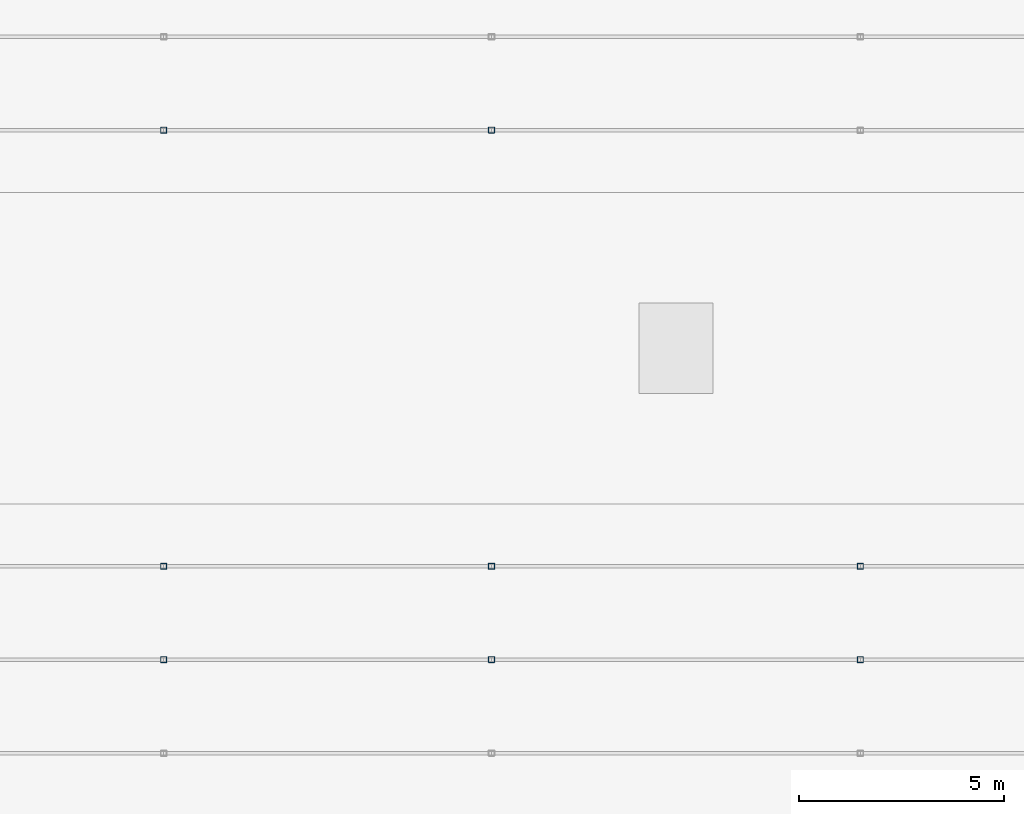
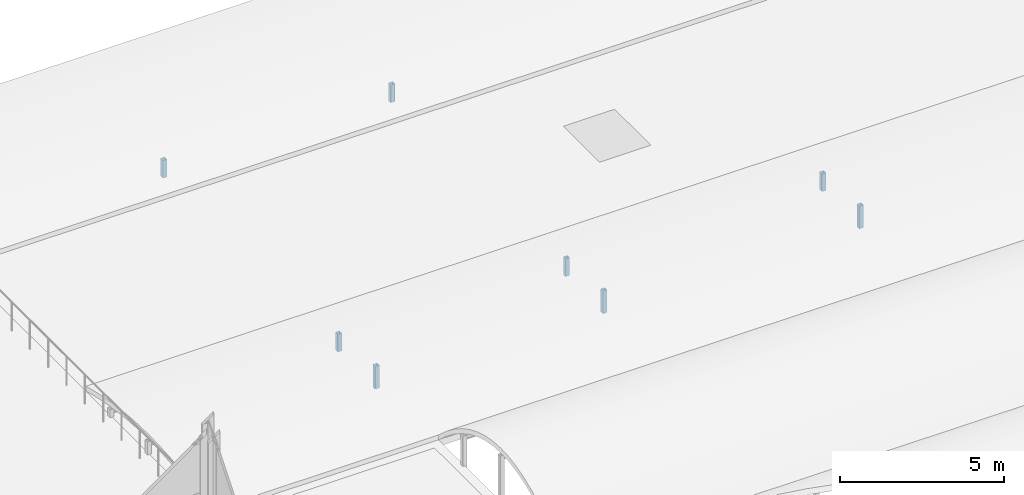
# One storey, part 34 of 46: 8 members.
"""IFC4 building model written with IfcOpenShell, lengths in metres."""

import ifcopenshell
import ifcopenshell.guid

model = None  # the IFC model being written
_history = None  # IfcOwnerHistory: only IFC2X3 demands one
_inside = {}  # id of a spatial element -> (the spatial element, [elements in it])
_under = {}  # id of a project, library or spatial element -> (it, [spatial elements below it])
_declared = {}  # id of a project -> (the project, [libraries it declares])
_typed = {}  # id of a type object -> (the type object, [elements of that type])
_made_of = {}  # id of a material, layer set ... -> (it, [elements and type objects made of it])


def new_model(schema):
    """Start an empty IFC model of exactly this schema.

    Asked for "IFC4X3", IfcOpenShell would pick the latest addendum, in which some entities
    have other attributes; the version numbers below select the first issue.
    IFC2X3 requires an IfcOwnerHistory on every rooted entity: one is made here for all.
    """
    global model, _history
    if schema == "IFC4X3":
        model = ifcopenshell.file(schema_version=(4, 3, 0, 0))
    else:
        model = ifcopenshell.file(schema=schema)
    _inside.clear()
    _under.clear()
    _declared.clear()
    _typed.clear()
    _made_of.clear()
    _history = None
    if model.schema == "IFC2X3":
        org = make("IfcOrganization", Name="unknown")
        user = make(
            "IfcPersonAndOrganization",
            ThePerson=make("IfcPerson", FamilyName="unknown"),
            TheOrganization=org,
        )
        app = make(
            "IfcApplication",
            ApplicationDeveloper=org,
            Version="unknown",
            ApplicationFullName="unknown",
            ApplicationIdentifier="unknown",
        )
        _history = make(
            "IfcOwnerHistory",
            OwningUser=user,
            OwningApplication=app,
            ChangeAction="ADDED",
            CreationDate=0,
        )
    return model


def make(cls, **values):
    """One entity of the class cls with the attributes given. An attribute that is None is left unset."""
    return model.create_entity(
        cls, **{name: value for name, value in values.items() if value is not None}
    )


def rooted(cls, **values):
    """An entity with a GlobalId (a new one), such as an element, a storey or a relation."""
    return make(cls, GlobalId=ifcopenshell.guid.new(), OwnerHistory=_history, **values)


def si_unit(unit_type, name, prefix=None):
    """IfcSIUnit, for example si_unit("LENGTHUNIT", "METRE", prefix="MILLI")."""
    return make("IfcSIUnit", UnitType=unit_type, Prefix=prefix, Name=name)


def assignment(units):
    """IfcUnitAssignment: the units of a project."""
    return None if units is None else make("IfcUnitAssignment", Units=units)


def point(xyz):
    """IfcCartesianPoint."""
    return None if xyz is None else make("IfcCartesianPoint", Coordinates=xyz)


def direction(xyz):
    """IfcDirection."""
    return None if xyz is None else make("IfcDirection", DirectionRatios=xyz)


def frame(location, z_axis=None, x_axis=None):
    """IfcAxis2Placement3D, a coordinate frame: its origin and axes. An axis left out is left unset."""
    return make(
        "IfcAxis2Placement3D",
        Location=point(location),
        Axis=direction(z_axis),
        RefDirection=direction(x_axis),
    )


def frame_2d(location, x_axis=None):
    """IfcAxis2Placement2D, a coordinate frame in the plane: its origin and x axis."""
    return make(
        "IfcAxis2Placement2D", Location=point(location), RefDirection=direction(x_axis)
    )


def origin():
    """The frame at (0, 0, 0) with its axes left unset."""
    return frame((0.0, 0.0, 0.0))


def origin_2d():
    """The frame at (0, 0) in the plane with its x axis left unset."""
    return frame_2d((0.0, 0.0))


def place(relative_to, where):
    """IfcLocalPlacement: puts the frame where relative to a parent placement (None: the world)."""
    return make(
        "IfcLocalPlacement", PlacementRelTo=relative_to, RelativePlacement=where
    )


def context(
    kind, dimensions, precision=None, world=None, true_north=None, identifier=None
):
    """IfcGeometricRepresentationContext, for example the 3D "Model" context."""
    return make(
        "IfcGeometricRepresentationContext",
        ContextIdentifier=identifier,
        ContextType=kind,
        CoordinateSpaceDimension=dimensions,
        Precision=precision,
        WorldCoordinateSystem=world,
        TrueNorth=true_north,
    )


def subcontext(parent, identifier, kind, view, scale=None):
    """IfcGeometricRepresentationSubContext, for example "Body" below "Model"."""
    return make(
        "IfcGeometricRepresentationSubContext",
        ContextIdentifier=identifier,
        ContextType=kind,
        ParentContext=parent,
        TargetScale=scale,
        TargetView=view,
    )


def project(units=None, contexts=None):
    """IfcProject with its units and contexts."""
    return rooted(
        "IfcProject",
        Name="project",
        RepresentationContexts=contexts,
        UnitsInContext=assignment(units),
    )


def spatial(cls, under=None, at=None, **own):
    """A site, building, storey or space (cls), placed at a placement, below another one or the project."""
    s = rooted(cls, ObjectPlacement=at, **own)
    if under is not None:
        _under.setdefault(under.id(), (under, []))[1].append(s)
    return s


def profile(cls, at=None, kind="AREA", **sizes):
    """A parametric profile (cls). Its sizes go by their IFC names, for example OverallWidth=200.0."""
    return make(cls, ProfileType=kind, Position=at, **sizes)


def hollow_rectangle(**sizes):
    """IfcRectangleHollowProfileDef."""
    return profile("IfcRectangleHollowProfileDef", **sizes)


def extrude(swept, where, along, depth):
    """IfcExtrudedAreaSolid: the profile swept, set in the frame where, extruded along a direction by depth."""
    return make(
        "IfcExtrudedAreaSolid",
        SweptArea=swept,
        Position=where,
        ExtrudedDirection=direction(along),
        Depth=depth,
    )


def shape(context_of_items, identifier, shape_type, items):
    """IfcShapeRepresentation: the items that make up one representation, for example the "Body"."""
    return make(
        "IfcShapeRepresentation",
        ContextOfItems=context_of_items,
        RepresentationIdentifier=identifier,
        RepresentationType=shape_type,
        Items=items,
    )


def material(Name=None, Category=None):
    """IfcMaterial."""
    return make("IfcMaterial", Name=Name, Category=Category)


def material_profile(
    of_material, cross_section, Name=None, Category=None, Priority=None
):
    """IfcMaterialProfile: a cross section and its material."""
    return make(
        "IfcMaterialProfile",
        Name=Name,
        Material=of_material,
        Profile=cross_section,
        Priority=Priority,
        Category=Category,
    )


def profile_set(profiles, Name=None, composite=None):
    """IfcMaterialProfileSet."""
    return make(
        "IfcMaterialProfileSet",
        Name=Name,
        MaterialProfiles=profiles,
        CompositeProfile=composite,
    )


def made_of(thing, what):
    """Note that an element or type object is made of a material, layer set ...; save() writes the relation."""
    if what is not None:
        _made_of.setdefault(what.id(), (what, []))[1].append(thing)
    return thing


def type_object(cls, material=None, **own):
    """A type object (cls), such as IfcWallType, which elements share."""
    return made_of(rooted(cls, **own), material)


def element(
    cls,
    number,
    at=None,
    inside=None,
    cuts=None,
    type_object=None,
    material=None,
    context=None,
    identifier="Body",
    shape_type=None,
    held_by="IfcProductDefinitionShape",
    body=None,
    shapes=None,
    **own,
):
    """One element of the class cls, such as IfcWall. Its Tag is "e" and its number.

    at: its placement. inside: the storey or other place that contains it. cuts: it is an
    opening in that element (IfcRelVoidsElement). A single representation is given by context,
    identifier, shape_type and body (its items); several are given by shapes. held_by: the class
    of the entity that holds the representations. save() writes the other relations.
    """
    e = rooted(cls, Tag="e%d" % number, ObjectPlacement=at, **own)
    if body is not None:
        shapes = [shape(context, identifier, shape_type, body)]
    if shapes is not None:
        e.Representation = make(held_by, Representations=shapes)
    if inside is not None:
        _inside.setdefault(inside.id(), (inside, []))[1].append(e)
    if cuts is not None:
        rooted(
            "IfcRelVoidsElement", RelatingBuildingElement=cuts, RelatedOpeningElement=e
        )
    if type_object is not None:
        _typed.setdefault(type_object.id(), (type_object, []))[1].append(e)
    return made_of(e, material)


def aggregate(whole, parts):
    """IfcRelAggregates: a whole, such as a stair, and the parts it consists of."""
    return rooted("IfcRelAggregates", RelatingObject=whole, RelatedObjects=parts)


def save(model, path):
    """Write the relations noted so far, then the file.

    IfcRelAggregates (storeys below a building ...), IfcRelContainedInSpatialStructure (elements
    in a storey), IfcRelDefinesByType, IfcRelAssociatesMaterial and IfcRelDeclares: one each for
    every whole, place, type object, material and project.
    """
    for whole, parts in _under.values():
        aggregate(whole, parts)
    for where, things in _inside.values():
        rooted(
            "IfcRelContainedInSpatialStructure",
            RelatedElements=things,
            RelatingStructure=where,
        )
    for kind, things in _typed.values():
        rooted("IfcRelDefinesByType", RelatedObjects=things, RelatingType=kind)
    for what, things in _made_of.values():
        rooted("IfcRelAssociatesMaterial", RelatedObjects=things, RelatingMaterial=what)
    for by, libraries in _declared.values():
        rooted("IfcRelDeclares", RelatingContext=by, RelatedDefinitions=libraries)
    model.write(path)


model = new_model("IFC4")

# Units and contexts
model_context = context("Model", 3, precision=1e-05, world=origin(), true_north=direction((0.0, 1.0)))
body_context = subcontext(model_context, "Body", "Model", "MODEL_VIEW")
ifc_project = project(units=[si_unit("LENGTHUNIT", "METRE"), si_unit("AREAUNIT", "SQUARE_METRE"), si_unit("VOLUMEUNIT", "CUBIC_METRE"), si_unit("PLANEANGLEUNIT", "RADIAN"), si_unit("MASSUNIT", "GRAM", prefix="KILO")], contexts=[model_context])

# Site, building, storey
site_placement = place(None, origin())
site = spatial("IfcSite", under=ifc_project, at=site_placement, CompositionType="ELEMENT")
building_placement = place(site_placement, origin())
building = spatial("IfcBuilding", under=site, at=building_placement, Name="Shalkamar Park Central Library", CompositionType="ELEMENT")
storey_placement = place(building_placement, frame((0.0, 0.0, 20.39990234375)))
storey = spatial("IfcBuildingStorey", under=building, at=storey_placement, Name="L05", CompositionType="ELEMENT", Elevation=20.39990234375)

# Members
ifc_material = material(Name="Steel S355", Category="steel")
ifc_material_profile = material_profile(ifc_material, hollow_rectangle(XDim=0.14990234375, YDim=0.14990234375, WallThickness=0.008056640625, InnerFilletRadius=0.008056640625, OuterFilletRadius=0.011962890625, at=origin_2d()), Name="SHS 150x150x8")
ifc_profile_set = profile_set([ifc_material_profile], Name="Steel S355")
member_type = type_object("IfcMemberType", Name="Diagonal Brace SHS150", PredefinedType="BRACE", material=ifc_profile_set)
member_1_placement = place(storey_placement, frame((229.0, 297.0, -0.35986328125), z_axis=(0.0, 0.0, 1.0), x_axis=(1.0, 0.0, 0.0)))
element("IfcMember", 1, at=member_1_placement, inside=storey, type_object=member_type, Name="Vault Arch Post BV-L04-N1-15.2", PredefinedType="BRACE", context=body_context, shape_type="SweptSolid", body=[
    extrude(hollow_rectangle(XDim=0.14990234375, YDim=0.14990234375, WallThickness=0.008056640625, InnerFilletRadius=0.008056640625, OuterFilletRadius=0.011962890625, at=origin_2d()), origin(), (0.0, 0.0, 1.0), 0.83984375),
])
member_2_placement = place(storey_placement, frame((229.0, 299.280029296875, -0.35986328125), z_axis=(0.0, 0.0, 1.0), x_axis=(1.0, 0.0, 0.0)))
element("IfcMember", 2, at=member_2_placement, inside=storey, type_object=member_type, Name="Vault Arch Post BV-L04-N1-15.3", PredefinedType="BRACE", context=body_context, shape_type="SweptSolid", body=[
    extrude(hollow_rectangle(XDim=0.14990234375, YDim=0.14990234375, WallThickness=0.008056640625, InnerFilletRadius=0.008056640625, OuterFilletRadius=0.011962890625, at=origin_2d()), origin(), (0.0, 0.0, 1.0), 0.65283203125),
])
member_3_placement = place(storey_placement, frame((237.0, 297.0, -0.35986328125), z_axis=(0.0, 0.0, 1.0), x_axis=(1.0, 0.0, 0.0)))
element("IfcMember", 3, at=member_3_placement, inside=storey, type_object=member_type, Name="Vault Arch Post BV-L04-N1-16.2", PredefinedType="BRACE", context=body_context, shape_type="SweptSolid", body=[
    extrude(hollow_rectangle(XDim=0.14990234375, YDim=0.14990234375, WallThickness=0.008056640625, InnerFilletRadius=0.008056640625, OuterFilletRadius=0.011962890625, at=origin_2d()), origin(), (0.0, 0.0, 1.0), 0.83984375),
])
member_4_placement = place(storey_placement, frame((237.0, 299.280029296875, -0.35986328125), z_axis=(0.0, 0.0, 1.0), x_axis=(1.0, 0.0, 0.0)))
element("IfcMember", 4, at=member_4_placement, inside=storey, type_object=member_type, Name="Vault Arch Post BV-L04-N1-16.3", PredefinedType="BRACE", context=body_context, shape_type="SweptSolid", body=[
    extrude(hollow_rectangle(XDim=0.14990234375, YDim=0.14990234375, WallThickness=0.008056640625, InnerFilletRadius=0.008056640625, OuterFilletRadius=0.011962890625, at=origin_2d()), origin(), (0.0, 0.0, 1.0), 0.65283203125),
])
member_5_placement = place(storey_placement, frame((246.0, 297.0, -0.35986328125), z_axis=(0.0, 0.0, 1.0), x_axis=(1.0, 0.0, 0.0)))
element("IfcMember", 5, at=member_5_placement, inside=storey, type_object=member_type, Name="Vault Arch Post BV-L04-N1-17.2", PredefinedType="BRACE", context=body_context, shape_type="SweptSolid", body=[
    extrude(hollow_rectangle(XDim=0.14990234375, YDim=0.14990234375, WallThickness=0.008056640625, InnerFilletRadius=0.008056640625, OuterFilletRadius=0.011962890625, at=origin_2d()), origin(), (0.0, 0.0, 1.0), 0.83984375),
])
for number, where, z_axis, x_axis, name in (
    (6, (246.0, 299.280029296875, -0.35986328125), (0.0, 0.0, 1.0), (1.0, 0.0, 0.0), "Vault Arch Post BV-L04-N1-17.3"),
    (7, (229.0, 309.919921875, -0.35986328125), (0.0, 0.0, 1.0), (1.0, 0.0, 0.0), "Vault Arch Post BV-L04-N2-15.1"),
    (8, (237.0, 309.919921875, -0.35986328125), (0.0, 0.0, 1.0), (1.0, 0.0, 0.0), "Vault Arch Post BV-L04-N2-16.1"),
):
    element("IfcMember", number, at=place(storey_placement, frame(where, z_axis=z_axis, x_axis=x_axis)), inside=storey, type_object=member_type, Name=name, PredefinedType="BRACE", context=body_context, shape_type="SweptSolid", body=[
        extrude(hollow_rectangle(XDim=0.14990234375, YDim=0.14990234375, WallThickness=0.008056640625, InnerFilletRadius=0.008056640625, OuterFilletRadius=0.011962890625, at=origin_2d()), origin(), (0.0, 0.0, 1.0), 0.65283203125),
    ])

save(model, "model.ifc")
